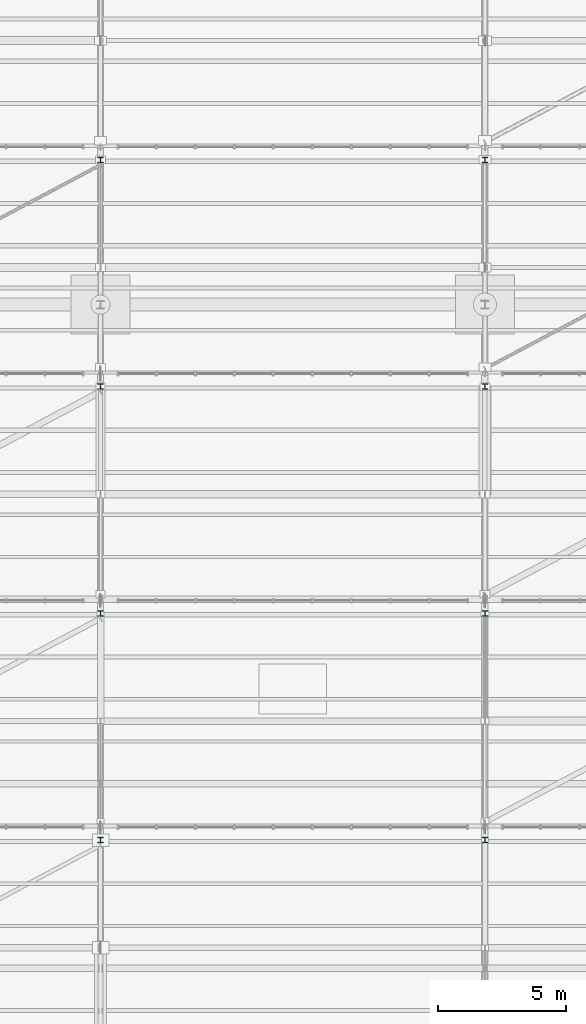
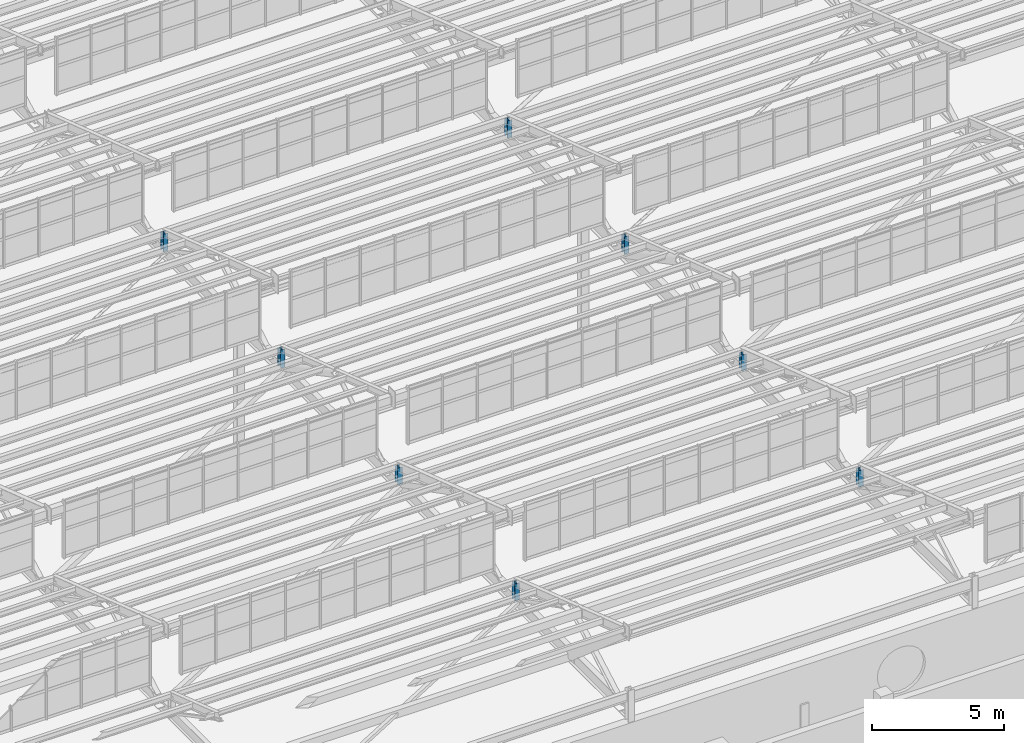
# One storey, part 150 of 285: 8 members.
"""IFC4 building model written with IfcOpenShell, lengths in metres."""

from ifc_helpers import new_model, si_unit, direction, frame, origin, origin_2d, place, context, subcontext, project, spatial, i_section, extrude, material, material_profile, profile_set, type_object, element, save


model = new_model("IFC4")

# Units and contexts
model_context = context("Model", 3, precision=1e-05, world=origin(), true_north=direction((0.0, 1.0)))
body_context = subcontext(model_context, "Body", "Model", "MODEL_VIEW")
ifc_project = project(units=[si_unit("LENGTHUNIT", "METRE"), si_unit("AREAUNIT", "SQUARE_METRE"), si_unit("VOLUMEUNIT", "CUBIC_METRE"), si_unit("PLANEANGLEUNIT", "RADIAN"), si_unit("MASSUNIT", "GRAM", prefix="KILO")], contexts=[model_context])

# Site, building, storey
site_placement = place(None, origin())
site = spatial("IfcSite", under=ifc_project, at=site_placement, CompositionType="ELEMENT")
building_placement = place(site_placement, origin())
building = spatial("IfcBuilding", under=site, at=building_placement, Name="Solanera Park Tramway Depot", CompositionType="ELEMENT")
storey_placement = place(building_placement, origin())
storey = spatial("IfcBuildingStorey", under=building, at=storey_placement, Name="L00", CompositionType="ELEMENT", Elevation=0.0)

# Members
ifc_material = material(Name="Steel AS/NZS 3679.1 Grade 350", Category="steel")
ifc_material_profile = material_profile(ifc_material, i_section(OverallWidth=0.205078125, OverallDepth=0.209716796875, WebThickness=0.00927734375, FlangeThickness=0.01416015625, at=origin_2d()), Name="200UC59.5")
ifc_profile_set = profile_set([ifc_material_profile], Name="Steel AS/NZS 3679.1 Grade 350")
member_type = type_object("IfcMemberType", Name="Roof Gantry Compression Strut 200UC59.5", PredefinedType="STRUT", material=ifc_profile_set)
member_1_placement = place(storey_placement, frame((105.0, 64.10009765625, 6.5), z_axis=(0.0, 0.0, 1.0), x_axis=(1.0, 0.0, 0.0)))
element("IfcMember", 1, at=member_1_placement, inside=storey, type_object=member_type, Name="Sawtooth ROOF TRUSS Valley Post 200UC59.5 #0007", PredefinedType="STRUT", context=body_context, shape_type="SweptSolid", body=[
    extrude(i_section(OverallWidth=0.205078125, OverallDepth=0.209716796875, WebThickness=0.00927734375, FlangeThickness=0.01416015625, at=origin_2d()), origin(), (0.0, 0.0, 1.0), 0.78759765625),
])
for number, where, z_axis, x_axis, name in (
    (2, (120.0, 64.10009765625, 6.5), (0.0, 0.0, 1.0), (1.0, 0.0, 0.0), "Sawtooth ROOF TRUSS Valley Post 200UC59.5 #0008"),
    (3, (105.0, 72.949951171875, 6.5), (0.0, 0.0, 1.0), (1.0, 0.0, 0.0), "Sawtooth ROOF TRUSS Valley Post 200UC59.5 #0016"),
):
    element("IfcMember", number, at=place(storey_placement, frame(where, z_axis=z_axis, x_axis=x_axis)), inside=storey, type_object=member_type, Name=name, PredefinedType="STRUT", context=body_context, shape_type="SweptSolid", body=[
        extrude(i_section(OverallWidth=0.205078125, OverallDepth=0.209716796875, WebThickness=0.00927734375, FlangeThickness=0.01416015625, at=origin_2d()), origin(), (0.0, 0.0, 1.0), 0.76220703125),
    ])
member_2_placement = place(storey_placement, frame((120.0, 72.949951171875, 6.5), z_axis=(0.0, 0.0, 1.0), x_axis=(1.0, 0.0, 0.0)))
element("IfcMember", 4, at=member_2_placement, inside=storey, type_object=member_type, Name="Sawtooth ROOF TRUSS Valley Post 200UC59.5 #0017", PredefinedType="STRUT", context=body_context, shape_type="SweptSolid", body=[
    extrude(i_section(OverallWidth=0.205078125, OverallDepth=0.209716796875, WebThickness=0.00927734375, FlangeThickness=0.01416015625, at=origin_2d()), origin(), (0.0, 0.0, 1.0), 0.724365234375),
])
member_3_placement = place(storey_placement, frame((105.0, 81.800048828125, 6.5), z_axis=(0.0, 0.0, 1.0), x_axis=(1.0, 0.0, 0.0)))
element("IfcMember", 5, at=member_3_placement, inside=storey, type_object=member_type, Name="Sawtooth ROOF TRUSS Valley Post 200UC59.5 #0026", PredefinedType="STRUT", context=body_context, shape_type="SweptSolid", body=[
    extrude(i_section(OverallWidth=0.205078125, OverallDepth=0.209716796875, WebThickness=0.00927734375, FlangeThickness=0.01416015625, at=origin_2d()), origin(), (0.0, 0.0, 1.0), 0.83740234375),
])
for number, where, z_axis, x_axis, name in (
    (6, (120.0, 81.800048828125, 6.5), (0.0, 0.0, 1.0), (1.0, 0.0, 0.0), "Sawtooth ROOF TRUSS Valley Post 200UC59.5 #0027"),
    (7, (105.0, 90.64990234375, 6.5), (0.0, 0.0, 1.0), (1.0, 0.0, 0.0), "Sawtooth ROOF TRUSS Valley Post 200UC59.5 #0037"),
):
    element("IfcMember", number, at=place(storey_placement, frame(where, z_axis=z_axis, x_axis=x_axis)), inside=storey, type_object=member_type, Name=name, PredefinedType="STRUT", context=body_context, shape_type="SweptSolid", body=[
        extrude(i_section(OverallWidth=0.205078125, OverallDepth=0.209716796875, WebThickness=0.00927734375, FlangeThickness=0.01416015625, at=origin_2d()), origin(), (0.0, 0.0, 1.0), 0.81298828125),
    ])
member_4_placement = place(storey_placement, frame((120.0, 90.64990234375, 6.5), z_axis=(0.0, 0.0, 1.0), x_axis=(1.0, 0.0, 0.0)))
element("IfcMember", 8, at=member_4_placement, inside=storey, type_object=member_type, Name="Sawtooth ROOF TRUSS Valley Post 200UC59.5 #0038", PredefinedType="STRUT", context=body_context, shape_type="SweptSolid", body=[
    extrude(i_section(OverallWidth=0.205078125, OverallDepth=0.209716796875, WebThickness=0.00927734375, FlangeThickness=0.01416015625, at=origin_2d()), origin(), (0.0, 0.0, 1.0), 0.78759765625),
])

save(model, "model.ifc")
